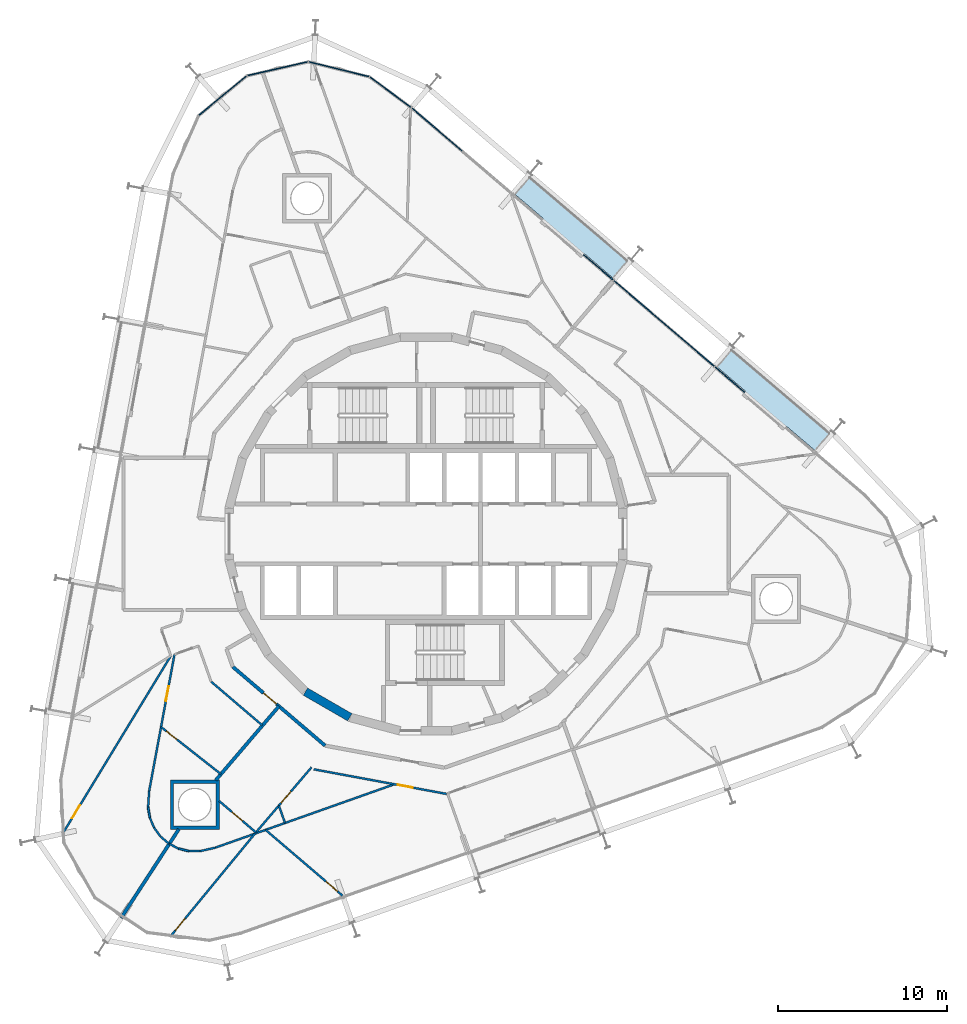
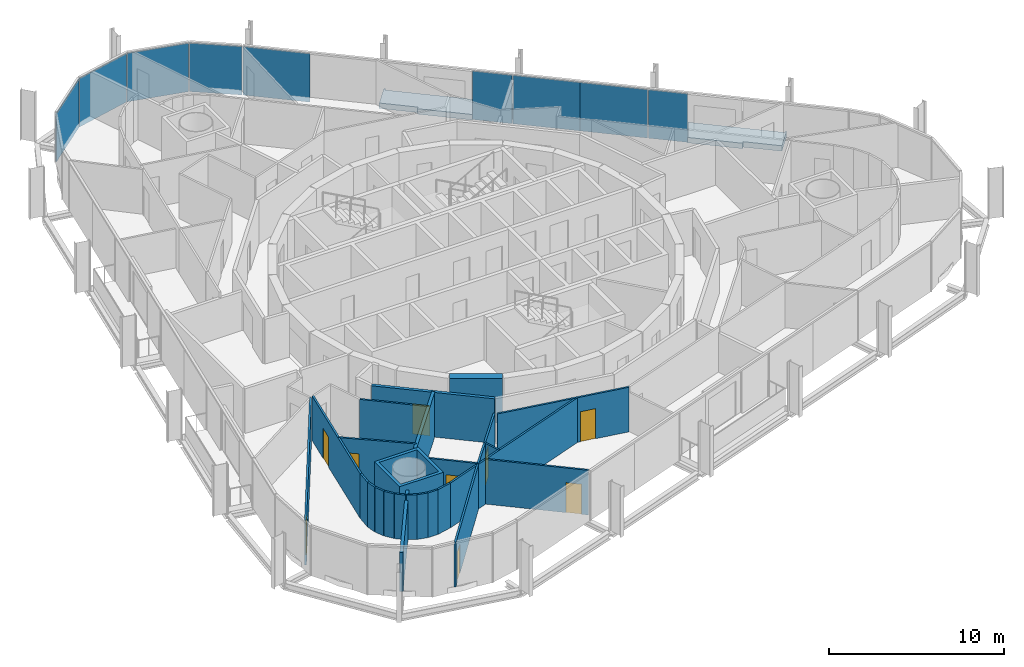
# One storey, part 10 of 17: 25 walls, 9 doors, 9 plates, 2 slabs, 9 openings, 2 elements without a shape of their own.
"""IFC4 building model written with IfcOpenShell, lengths in metres."""

from ifc_helpers import new_model, si_unit, direction, frame, frame_2d, origin, origin_2d, place, context, subcontext, project, spatial, polyline, rectangle, outline, extrude, material, layer, layer_set, type_object, element, fill, aggregate, save


model = new_model("IFC4")

# Units and contexts
model_context = context("Model", 3, precision=1e-05, world=origin(), true_north=direction((0.0, 1.0)))
body_context = subcontext(model_context, "Body", "Model", "MODEL_VIEW")
ifc_project = project(units=[si_unit("LENGTHUNIT", "METRE"), si_unit("AREAUNIT", "SQUARE_METRE"), si_unit("VOLUMEUNIT", "CUBIC_METRE"), si_unit("PLANEANGLEUNIT", "RADIAN"), si_unit("MASSUNIT", "GRAM", prefix="KILO")], contexts=[model_context])

# Site, building, storey
site_placement = place(None, origin())
site = spatial("IfcSite", under=ifc_project, at=site_placement, CompositionType="ELEMENT")
building_placement = place(site_placement, origin())
building = spatial("IfcBuilding", under=site, at=building_placement, Name="Spindle Arch Residences", CompositionType="ELEMENT")
storey_placement = place(building_placement, frame((0.0, 0.0, 162.199951171875)))
storey = spatial("IfcBuildingStorey", under=building, at=storey_placement, Name="L40", CompositionType="ELEMENT", Elevation=162.199951171875)

# Slabs
ifc_material_1 = material(Name="Concrete C40/50", Category="concrete")
ifc_layer_1 = layer(ifc_material_1, 0.3798828125)
ifc_layer_set_1 = layer_set([ifc_layer_1], Name="Balcony slab 380")
slab_type = type_object("IfcSlabType", Name="Balcony slab 380", PredefinedType="FLOOR", material=ifc_layer_set_1)
slab_1_placement = place(storey_placement, frame((0.0, 0.0, -0.3798828125)))
element("IfcSlab", 1, at=slab_1_placement, inside=storey, type_object=slab_type, Name="Balcony L40 bay 6", PredefinedType="FLOOR", context=body_context, shape_type="SweptSolid", body=[
    extrude(outline(polyline([(24.00830078125, 6.037353515625), (23.951171875, 6.0859375), (23.853759765625, 5.971923828125), (18.105224609375, 10.8818359375), (18.20263671875, 10.995849609375), (18.1455078125, 11.044677734375), (17.177734375, 9.91162109375), (18.892578125, 8.447021484375), (18.78857421875, 8.325439453125), (21.221923828125, 6.2470703125), (21.325927734375, 6.368896484375), (23.04052734375, 4.904296875), (24.00830078125, 6.037353515625)])), origin(), (0.0, 0.0, 1.0), 0.3798828125),
])
slab_2_placement = place(storey_placement, frame((0.0, 0.0, -0.3798828125)))
element("IfcSlab", 2, at=slab_2_placement, inside=storey, type_object=slab_type, Name="Balcony L40 bay 8", PredefinedType="FLOOR", context=body_context, shape_type="SweptSolid", body=[
    extrude(outline(polyline([(12.0546875, 16.246826171875), (11.99755859375, 16.29541015625), (11.900146484375, 16.181396484375), (6.1513671875, 21.09130859375), (6.248779296875, 21.205322265625), (6.19189453125, 21.25390625), (5.22412109375, 20.12109375), (6.93896484375, 18.656494140625), (6.8349609375, 18.534912109375), (9.268310546875, 16.45654296875), (9.3720703125, 16.578369140625), (11.0869140625, 15.11376953125), (12.0546875, 16.246826171875)])), origin(), (0.0, 0.0, 1.0), 0.3798828125),
])

# Curtain wall, plates
ifc_material_2 = material(Name="Aluminium bronze unitised frame with tinted glass", Category="aluminium")
ifc_layer_2 = layer(ifc_material_2, 0.159912109375)
ifc_layer_set_2 = layer_set([ifc_layer_2], Name="CW-C typical residential unitised wall")
curtain_wall_type_1 = type_object("IfcCurtainWallType", Name="CW-C typical residential unitised wall", PredefinedType="NOTDEFINED", material=ifc_layer_set_2)
curtain_wall_1_placement = place(storey_placement, origin())
curtain_wall_1 = element("IfcCurtainWall", 3, at=curtain_wall_1_placement, inside=storey, type_object=curtain_wall_type_1, Name="CW-C L40 run 2", PredefinedType="NOTDEFINED")
ifc_material_3 = material(Name="Tinted double glazing over aluminium faced non-combustible spandrel zone (K0)", Category="aluminium")
ifc_layer_3 = layer(ifc_material_3, 0.06005859375)
ifc_layer_set_3 = layer_set([ifc_layer_3], Name="Unitised glass panel with E 60 spandrel zone")
plate_type = type_object("IfcPlateType", Name="Unitised glass panel with E 60 spandrel zone", PredefinedType="CURTAIN_PANEL", material=ifc_layer_set_3)
plate_1_placement = place(storey_placement, frame((17.966064453125, 9.133056640625, -0.3798828125), z_axis=(0.0, 0.0, 1.0), x_axis=(-0.7604059656, 0.64944804833, 0.0)))
plate_1 = element("IfcPlate", 4, at=plate_1_placement, type_object=plate_type, Name="CW-C unit 05R", PredefinedType="CURTAIN_PANEL", context=body_context, shape_type="SweptSolid", body=[
    extrude(rectangle(XDim=2.300048828125, YDim=0.06005859375, at=origin_2d()), origin(), (0.0, 0.0, 1.0), 3.3798828125),
])
plate_2_placement = place(storey_placement, frame((15.563232421875, 11.185302734375, -0.3798828125), z_axis=(0.0, 0.0, 1.0), x_axis=(-0.7604059656, 0.64944804833, 0.0)))
plate_2 = element("IfcPlate", 5, at=plate_2_placement, type_object=plate_type, Name="CW-C unit 06A", PredefinedType="CURTAIN_PANEL", context=body_context, shape_type="SweptSolid", body=[
    extrude(rectangle(XDim=3.900146484375, YDim=0.06005859375, at=origin_2d()), origin(), (0.0, 0.0, 1.0), 3.3798828125),
])
plate_3_placement = place(storey_placement, frame((12.59765625, 13.71826171875, -0.3798828125), z_axis=(0.0, 0.0, 1.0), x_axis=(-0.7604059656, 0.64944804833, 0.0)))
plate_3 = element("IfcPlate", 6, at=plate_3_placement, type_object=plate_type, Name="CW-C unit 06B", PredefinedType="CURTAIN_PANEL", context=body_context, shape_type="SweptSolid", body=[
    extrude(rectangle(XDim=3.900146484375, YDim=0.06005859375, at=origin_2d()), origin(), (0.0, 0.0, 1.0), 3.3798828125),
])
plate_4_placement = place(storey_placement, frame((10.19482421875, 15.7705078125, -0.3798828125), z_axis=(0.0, 0.0, 1.0), x_axis=(-0.7604059656, 0.64944804833, 0.0)))
plate_4 = element("IfcPlate", 7, at=plate_4_placement, type_object=plate_type, Name="CW-C unit 07L", PredefinedType="CURTAIN_PANEL", context=body_context, shape_type="SweptSolid", body=[
    extrude(rectangle(XDim=2.300048828125, YDim=0.06005859375, at=origin_2d()), origin(), (0.0, 0.0, 1.0), 3.3798828125),
])
plate_5_placement = place(storey_placement, frame((0.643798828125, 23.927734375, -0.3798828125), z_axis=(0.0, 0.0, 1.0), x_axis=(-0.7604059656, 0.64944804833, 0.0)))
plate_5 = element("IfcPlate", 8, at=plate_5_placement, type_object=plate_type, Name="CW-C unit 08B", PredefinedType="CURTAIN_PANEL", context=body_context, shape_type="SweptSolid", body=[
    extrude(rectangle(XDim=3.900146484375, YDim=0.06005859375, at=origin_2d()), origin(), (0.0, 0.0, 1.0), 3.3798828125),
])
aggregate(curtain_wall_1, [plate_1, plate_2, plate_3, plate_4, plate_5])

ifc_material_4 = material(Name="Aluminium bronze unitised frame with tinted glass", Category="aluminium")
ifc_layer_4 = layer(ifc_material_4, 0.159912109375)
ifc_layer_set_4 = layer_set([ifc_layer_4], Name="CW-D corner wall on the fillet arcs")
curtain_wall_type_2 = type_object("IfcCurtainWallType", Name="CW-D corner wall on the fillet arcs", PredefinedType="NOTDEFINED", material=ifc_layer_set_4)
curtain_wall_2_placement = place(storey_placement, origin())
curtain_wall_2 = element("IfcCurtainWall", 9, at=curtain_wall_2_placement, inside=storey, type_object=curtain_wall_type_2, Name="CW-D L40 run 3", PredefinedType="NOTDEFINED")
plate_6_placement = place(storey_placement, frame((-2.102294921875, 26.1298828125, -0.3798828125), z_axis=(0.0, 0.0, 1.0), x_axis=(-0.804365716131, 0.594134492109, 0.0)))
plate_6 = element("IfcPlate", 10, at=plate_6_placement, type_object=plate_type, Name="CW-D unit 00", PredefinedType="CURTAIN_PANEL", context=body_context, shape_type="SweptSolid", body=[
    extrude(rectangle(XDim=3.0244140625, YDim=0.06005859375, at=origin_2d()), origin(), (0.0, 0.0, 1.0), 3.3798828125),
])
plate_7_placement = place(storey_placement, frame((-5.152099609375, 27.49169921875, -0.3798828125), z_axis=(0.0, 0.0, 1.0), x_axis=(-0.970995342056, 0.239098401721, 0.0)))
plate_7 = element("IfcPlate", 11, at=plate_7_placement, type_object=plate_type, Name="CW-D unit 01", PredefinedType="CURTAIN_PANEL", context=body_context, shape_type="SweptSolid", body=[
    extrude(rectangle(XDim=3.666748046875, YDim=0.06005859375, at=origin_2d()), origin(), (0.0, 0.0, 1.0), 3.3798828125),
])
plate_8_placement = place(storey_placement, frame((-8.7783203125, 27.5234375, -0.3798828125), z_axis=(0.0, 0.0, 1.0), x_axis=(-0.975020297449, -0.222115779633, 0.0)))
plate_8 = element("IfcPlate", 12, at=plate_8_placement, type_object=plate_type, Name="CW-D unit 02", PredefinedType="CURTAIN_PANEL", context=body_context, shape_type="SweptSolid", body=[
    extrude(rectangle(XDim=3.666748046875, YDim=0.06005859375, at=origin_2d()), origin(), (0.0, 0.0, 1.0), 3.3798828125),
])
plate_9_placement = place(storey_placement, frame((-12.032958984375, 25.92431640625, -0.3798828125), z_axis=(0.0, 0.0, 1.0), x_axis=(-0.771624583032, -0.636078220709, 0.0)))
plate_9 = element("IfcPlate", 13, at=plate_9_placement, type_object=plate_type, Name="CW-D unit 03", PredefinedType="CURTAIN_PANEL", context=body_context, shape_type="SweptSolid", body=[
    extrude(rectangle(XDim=3.666748046875, YDim=0.06005859375, at=origin_2d()), origin(), (0.0, 0.0, 1.0), 3.3798828125),
])
aggregate(curtain_wall_2, [plate_6, plate_7, plate_8, plate_9])

# Wall
ifc_material_5 = material(Name="Concrete C50/60", Category="concrete")
ifc_layer_5 = layer(ifc_material_5, 0.5)
ifc_layer_set_5 = layer_set([ifc_layer_5], Name="Core outline wall 500")
wall_type_1 = type_object("IfcWallType", Name="Core outline wall 500", PredefinedType="SHEAR", material=ifc_layer_set_5)
wall_1_placement = place(storey_placement, frame((-7.13671875, -9.32861328125, 0.0), z_axis=(0.0, 0.0, 1.0), x_axis=(0.865975092491, -0.500087131594, 0.0)))
element("IfcWall", 14, at=wall_1_placement, inside=storey, type_object=wall_type_1, Name="Core outline wall 22", PredefinedType="SHEAR", context=body_context, shape_type="SweptSolid", body=[
    extrude(rectangle(XDim=3.03271484375, YDim=0.5, at=frame_2d((1.516357421875, 0.0))), origin(), (0.0, 0.0, 1.0), 3.1201171875),
])

# Wall, opening, door
ifc_material_6 = material(Name="Calcium silicate block, plastered")
ifc_layer_6 = layer(ifc_material_6, 0.199951171875)
ifc_layer_set_6 = layer_set([ifc_layer_6], Name="Corridor wall 200")
wall_type_2 = type_object("IfcWallType", Name="Corridor wall 200", PredefinedType="STANDARD", material=ifc_layer_set_6)
wall_2_placement = place(storey_placement, frame((-11.432861328125, -7.857666015625, 0.0), z_axis=(0.0, 0.0, 1.0), x_axis=(0.760412154545, -0.649440801937, 0.0)))
wall_2 = element("IfcWall", 15, at=wall_2_placement, inside=storey, type_object=wall_type_2, Name="Corridor wall R4B1-W016", PredefinedType="STANDARD", context=body_context, shape_type="SweptSolid", body=[
    extrude(rectangle(XDim=7.180908203125, YDim=0.199951171875, at=frame_2d((3.59033203125, 0.0))), origin(), (0.0, 0.0, 1.0), 3.1201171875),
])
opening_1_placement = place(wall_2_placement, frame((2.390380859375, 0.0, 0.0)))
opening_1 = element("IfcOpeningElement", 16, at=opening_1_placement, cuts=wall_2, Name="Opening R4B1-FD04", PredefinedType="OPENING", context=body_context, shape_type="SweptSolid", body=[
    extrude(rectangle(XDim=1.0, YDim=2.10009765625, at=frame_2d((0.5, 1.050048828125))), frame((0.0, 0.10986328125, 0.0), z_axis=(0.0, -1.0, 0.0), x_axis=(1.0, 0.0, 0.0)), (0.0, 0.0, 1.0), 0.219970703125),
])
ifc_material_7 = material(Name="Timber, fire-resisting door set", Category="wood")
door_type_1 = type_object("IfcDoorType", Name="Flat entrance door 1000x2100", OperationType="NOTDEFINED", PredefinedType="DOOR", material=ifc_material_7)
door_1_placement = place(opening_1_placement, origin())
door_1 = element("IfcDoor", 17, at=door_1_placement, inside=storey, type_object=door_type_1, Name="Flat entrance door R4B1-FD04", OperationType="SINGLE_SWING_RIGHT", OverallHeight=2.10009765625, OverallWidth=1.0, PredefinedType="DOOR", context=body_context, shape_type="SweptSolid", body=[
    extrude(rectangle(XDim=1.0, YDim=2.10009765625, at=frame_2d((0.5, 1.050048828125))), frame((0.0, 0.02490234375, 0.0), z_axis=(0.0, -1.0, 0.0), x_axis=(1.0, 0.0, 0.0)), (0.0, 0.0, 1.0), 0.050048828125),
])
fill(opening_1, door_1)

# Wall
ifc_material_8 = material(Name="Plasterboard on steel studs", Category="steel")
ifc_layer_7 = layer(ifc_material_8, 0.1201171875)
ifc_layer_set_7 = layer_set([ifc_layer_7], Name="Flat partition 120")
wall_type_3 = type_object("IfcWallType", Name="Flat partition 120", PredefinedType="PARTITIONING", material=ifc_layer_set_7)
wall_3_placement = place(storey_placement, frame((-12.712646484375, -8.7373046875, 0.0), z_axis=(0.0, 0.0, 1.0), x_axis=(0.760420863476, -0.649430604754, 0.0)))
element("IfcWall", 18, at=wall_3_placement, inside=storey, type_object=wall_type_3, Name="Flat partition R4B1-W089", PredefinedType="PARTITIONING", context=body_context, shape_type="SweptSolid", body=[
    extrude(rectangle(XDim=3.992431640625, YDim=0.1201171875, at=frame_2d((1.99609375, 0.0))), origin(), (0.0, 0.0, 1.0), 3.1201171875),
])

# Wall, opening, door
wall_4_placement = place(storey_placement, frame((-21.461181640625, -17.6708984375, 0.0), z_axis=(0.0, 0.0, 1.0), x_axis=(0.519791999186, 0.854292852353, 0.0)))
wall_4 = element("IfcWall", 19, at=wall_4_placement, inside=storey, type_object=wall_type_3, Name="Flat partition R4B1-W091", PredefinedType="PARTITIONING", context=body_context, shape_type="SweptSolid", body=[
    extrude(rectangle(XDim=12.2470703125, YDim=0.1201171875, at=frame_2d((6.12353515625, 0.0))), origin(), (0.0, 0.0, 1.0), 3.1201171875),
])
opening_2_placement = place(wall_4_placement, frame((1.0, 0.0, 0.0)))
opening_2 = element("IfcOpeningElement", 20, at=opening_2_placement, cuts=wall_4, Name="Opening R4B1-ID20", PredefinedType="OPENING", context=body_context, shape_type="SweptSolid", body=[
    extrude(rectangle(XDim=0.89990234375, YDim=2.10009765625, at=frame_2d((0.449951171875, 1.050048828125))), frame((0.0, 0.070068359375, 0.0), z_axis=(0.0, -1.0, 0.0), x_axis=(1.0, 0.0, 0.0)), (0.0, 0.0, 1.0), 0.14013671875),
])
ifc_material_9 = material(Name="Timber door set", Category="wood")
door_type_2 = type_object("IfcDoorType", Name="Room door 900x2100", OperationType="NOTDEFINED", PredefinedType="DOOR", material=ifc_material_9)
door_2_placement = place(opening_2_placement, origin())
door_2 = element("IfcDoor", 21, at=door_2_placement, inside=storey, type_object=door_type_2, Name="Room door R4B1-ID20", OperationType="SINGLE_SWING_LEFT", OverallHeight=2.10009765625, OverallWidth=0.89990234375, PredefinedType="DOOR", context=body_context, shape_type="SweptSolid", body=[
    extrude(rectangle(XDim=0.89990234375, YDim=2.10009765625, at=frame_2d((0.449951171875, 1.050048828125))), frame((0.0, 0.02490234375, 0.0), z_axis=(0.0, -1.0, 0.0), x_axis=(1.0, 0.0, 0.0)), (0.0, 0.0, 1.0), 0.050048828125),
])
fill(opening_2, door_2)

wall_5_placement = place(storey_placement, frame((-14.882080078125, -7.1328125, 0.0), z_axis=(0.0, 0.0, 1.0), x_axis=(-0.182231858218, -0.983255587246, 0.0)))
wall_5 = element("IfcWall", 22, at=wall_5_placement, inside=storey, type_object=wall_type_3, Name="Flat partition R4B1-W092", PredefinedType="PARTITIONING", context=body_context, shape_type="SweptSolid", body=[
    extrude(rectangle(XDim=8.215087890625, YDim=0.1201171875, at=frame_2d((4.107421875, 0.0))), origin(), (0.0, 0.0, 1.0), 3.1201171875),
])
opening_3_placement = place(wall_5_placement, frame((1.89990234375, 0.0, 0.0)))
opening_3 = element("IfcOpeningElement", 23, at=opening_3_placement, cuts=wall_5, Name="Opening R4B1-ID19", PredefinedType="OPENING", context=body_context, shape_type="SweptSolid", body=[
    extrude(rectangle(XDim=0.89990234375, YDim=2.10009765625, at=frame_2d((0.449951171875, 1.050048828125))), frame((0.0, 0.070068359375, 0.0), z_axis=(0.0, -1.0, 0.0), x_axis=(1.0, 0.0, 0.0)), (0.0, 0.0, 1.0), 0.14013671875),
])
door_3_placement = place(opening_3_placement, origin())
door_3 = element("IfcDoor", 24, at=door_3_placement, inside=storey, type_object=door_type_2, Name="Room door R4B1-ID19", OperationType="SINGLE_SWING_RIGHT", OverallHeight=2.10009765625, OverallWidth=0.89990234375, PredefinedType="DOOR", context=body_context, shape_type="SweptSolid", body=[
    extrude(rectangle(XDim=0.89990234375, YDim=2.10009765625, at=frame_2d((0.449951171875, 1.050048828125))), frame((0.0, 0.02490234375, 0.0), z_axis=(0.0, -1.0, 0.0), x_axis=(1.0, 0.0, 0.0)), (0.0, 0.0, 1.0), 0.050048828125),
])
fill(opening_3, door_3)

wall_6_placement = place(storey_placement, frame((-15.676513671875, -11.419921875, 0.0), z_axis=(0.0, 0.0, 1.0), x_axis=(0.785821888461, -0.618452875824, 0.0)))
wall_6 = element("IfcWall", 25, at=wall_6_placement, inside=storey, type_object=wall_type_3, Name="Flat partition R4B1-W093", PredefinedType="PARTITIONING", context=body_context, shape_type="SweptSolid", body=[
    extrude(rectangle(XDim=4.50732421875, YDim=0.1201171875, at=frame_2d((2.253662109375, 0.0))), origin(), (0.0, 0.0, 1.0), 3.1201171875),
])
opening_4_placement = place(wall_6_placement, frame((0.39990234375, 0.0, 0.0)))
opening_4 = element("IfcOpeningElement", 26, at=opening_4_placement, cuts=wall_6, Name="Opening R4B1-BD04", PredefinedType="OPENING", context=body_context, shape_type="SweptSolid", body=[
    extrude(rectangle(XDim=0.800048828125, YDim=2.10009765625, at=frame_2d((0.39990234375, 1.050048828125))), frame((0.0, 0.070068359375, 0.0), z_axis=(0.0, -1.0, 0.0), x_axis=(1.0, 0.0, 0.0)), (0.0, 0.0, 1.0), 0.14013671875),
])
ifc_material_10 = material(Name="Timber door set", Category="wood")
door_type_3 = type_object("IfcDoorType", Name="Bathroom door 800x2100", OperationType="NOTDEFINED", PredefinedType="DOOR", material=ifc_material_10)
door_4_placement = place(opening_4_placement, origin())
door_4 = element("IfcDoor", 27, at=door_4_placement, inside=storey, type_object=door_type_3, Name="Bathroom door R4B1-BD04", OperationType="SINGLE_SWING_RIGHT", OverallHeight=2.10009765625, OverallWidth=0.800048828125, PredefinedType="DOOR", context=body_context, shape_type="SweptSolid", body=[
    extrude(rectangle(XDim=0.800048828125, YDim=2.10009765625, at=frame_2d((0.39990234375, 1.050048828125))), frame((0.0, 0.02490234375, 0.0), z_axis=(0.0, -1.0, 0.0), x_axis=(1.0, 0.0, 0.0)), (0.0, 0.0, 1.0), 0.050048828125),
])
fill(opening_4, door_4)

# Walls
for number, where, z_axis, x_axis, name in (
    (28, (-15.220458984375, -18.315185546875, 0.0), (0.0, 0.0, 1.0), (-0.760275843649, 0.649600370662, 0.0), "Flat partition R4B1-W094"),
    (29, (-15.70849609375, -17.898193359375, 0.0), (0.0, 0.0, 1.0), (-0.590340795198, 0.807154102712, 0.0), "Flat partition R4B1-W095"),
):
    element("IfcWall", number, at=place(storey_placement, frame(where, z_axis=z_axis, x_axis=x_axis)), inside=storey, type_object=wall_type_3, Name=name, PredefinedType="PARTITIONING", context=body_context, shape_type="SweptSolid", body=[
        extrude(rectangle(XDim=0.641845703125, YDim=0.1201171875, at=frame_2d((0.32080078125, 0.0))), origin(), (0.0, 0.0, 1.0), 3.1201171875),
    ])
wall_7_placement = place(storey_placement, frame((-16.08740234375, -17.380126953125, 0.0), z_axis=(0.0, 0.0, 1.0), x_axis=(-0.387852998664, 0.921721243884, 0.0)))
element("IfcWall", 30, at=wall_7_placement, inside=storey, type_object=wall_type_3, Name="Flat partition R4B1-W096", PredefinedType="PARTITIONING", context=body_context, shape_type="SweptSolid", body=[
    extrude(rectangle(XDim=0.64208984375, YDim=0.1201171875, at=frame_2d((0.321044921875, 0.0))), origin(), (0.0, 0.0, 1.0), 3.1201171875),
])
wall_8_placement = place(storey_placement, frame((-16.33642578125, -16.788330078125, 0.0), z_axis=(0.0, 0.0, 1.0), x_axis=(-0.165077433319, 0.986280609669, 0.0)))
element("IfcWall", 31, at=wall_8_placement, inside=storey, type_object=wall_type_3, Name="Flat partition R4B1-W097", PredefinedType="PARTITIONING", context=body_context, shape_type="SweptSolid", body=[
    extrude(rectangle(XDim=0.641845703125, YDim=0.1201171875, at=frame_2d((0.32080078125, 0.0))), origin(), (0.0, 0.0, 1.0), 3.1201171875),
])
wall_9_placement = place(storey_placement, frame((-16.4423828125, -16.1552734375, 0.0), z_axis=(0.0, 0.0, 1.0), x_axis=(0.066775688713, 0.997768012815, 0.0)))
element("IfcWall", 32, at=wall_9_placement, inside=storey, type_object=wall_type_3, Name="Flat partition R4B1-W098", PredefinedType="PARTITIONING", context=body_context, shape_type="SweptSolid", body=[
    extrude(rectangle(XDim=0.947021484375, YDim=0.1201171875, at=frame_2d((0.4736328125, 0.0))), origin(), (0.0, 0.0, 1.0), 3.1201171875),
])

# Wall, opening, door
wall_10_placement = place(storey_placement, frame((-12.231201171875, -15.803955078125, 0.0), z_axis=(0.0, 0.0, 1.0), x_axis=(0.760403625387, -0.649450788357, 0.0)))
wall_10 = element("IfcWall", 33, at=wall_10_placement, inside=storey, type_object=wall_type_3, Name="Flat partition R4B1-W099", PredefinedType="PARTITIONING", context=body_context, shape_type="SweptSolid", body=[
    extrude(rectangle(XDim=2.851806640625, YDim=0.1201171875, at=frame_2d((1.42578125, 0.0))), origin(), (0.0, 0.0, 1.0), 3.1201171875),
])
opening_5_placement = place(wall_10_placement, frame((1.0, 0.0, 0.0)))
opening_5 = element("IfcOpeningElement", 34, at=opening_5_placement, cuts=wall_10, Name="Opening R4B1-BD05", PredefinedType="OPENING", context=body_context, shape_type="SweptSolid", body=[
    extrude(rectangle(XDim=0.800048828125, YDim=2.10009765625, at=frame_2d((0.39990234375, 1.050048828125))), frame((0.0, 0.070068359375, 0.0), z_axis=(0.0, -1.0, 0.0), x_axis=(1.0, 0.0, 0.0)), (0.0, 0.0, 1.0), 0.14013671875),
])
door_5_placement = place(opening_5_placement, origin())
door_5 = element("IfcDoor", 35, at=door_5_placement, inside=storey, type_object=door_type_3, Name="Bathroom door R4B1-BD05", OperationType="SINGLE_SWING_LEFT", OverallHeight=2.10009765625, OverallWidth=0.800048828125, PredefinedType="DOOR", context=body_context, shape_type="SweptSolid", body=[
    extrude(rectangle(XDim=0.800048828125, YDim=2.10009765625, at=frame_2d((0.39990234375, 1.050048828125))), frame((0.0, 0.02490234375, 0.0), z_axis=(0.0, -1.0, 0.0), x_axis=(1.0, 0.0, 0.0)), (0.0, 0.0, 1.0), 0.050048828125),
])
fill(opening_5, door_5)

wall_11_placement = place(storey_placement, frame((-10.062744140625, -17.656005859375, 0.0), z_axis=(0.0, 0.0, 1.0), x_axis=(0.649451567172, 0.760402960211, 0.0)))
wall_11 = element("IfcWall", 36, at=wall_11_placement, inside=storey, type_object=wall_type_3, Name="Flat partition R4B1-W100", PredefinedType="PARTITIONING", context=body_context, shape_type="SweptSolid", body=[
    extrude(rectangle(XDim=5.06103515625, YDim=0.1201171875, at=frame_2d((2.530517578125, 0.0))), origin(), (0.0, 0.0, 1.0), 3.1201171875),
])
opening_6_placement = place(wall_11_placement, frame((2.287841796875, 0.0, 0.0)))
opening_6 = element("IfcOpeningElement", 37, at=opening_6_placement, cuts=wall_11, Name="Opening R4B1-ID21", PredefinedType="OPENING", context=body_context, shape_type="SweptSolid", body=[
    extrude(rectangle(XDim=0.89990234375, YDim=2.10009765625, at=frame_2d((0.449951171875, 1.050048828125))), frame((0.0, 0.070068359375, 0.0), z_axis=(0.0, -1.0, 0.0), x_axis=(1.0, 0.0, 0.0)), (0.0, 0.0, 1.0), 0.14013671875),
])
door_6_placement = place(opening_6_placement, origin())
door_6 = element("IfcDoor", 38, at=door_6_placement, inside=storey, type_object=door_type_2, Name="Room door R4B1-ID21", OperationType="SINGLE_SWING_LEFT", OverallHeight=2.10009765625, OverallWidth=0.89990234375, PredefinedType="DOOR", context=body_context, shape_type="SweptSolid", body=[
    extrude(rectangle(XDim=0.89990234375, YDim=2.10009765625, at=frame_2d((0.449951171875, 1.050048828125))), frame((0.0, 0.02490234375, 0.0), z_axis=(0.0, -1.0, 0.0), x_axis=(1.0, 0.0, 0.0)), (0.0, 0.0, 1.0), 0.050048828125),
])
fill(opening_6, door_6)

wall_12_placement = place(storey_placement, frame((-6.640869140625, -13.9228515625, 0.0), z_axis=(0.0, 0.0, 1.0), x_axis=(0.983250157272, -0.182261153912, 0.0)))
wall_12 = element("IfcWall", 39, at=wall_12_placement, inside=storey, type_object=wall_type_3, Name="Flat partition R4B1-W101", PredefinedType="PARTITIONING", context=body_context, shape_type="SweptSolid", body=[
    extrude(rectangle(XDim=7.98486328125, YDim=0.1201171875, at=frame_2d((3.992431640625, 0.0))), origin(), (0.0, 0.0, 1.0), 3.1201171875),
])
opening_7_placement = place(wall_12_placement, frame((5.05078125, 0.0, 0.0)))
opening_7 = element("IfcOpeningElement", 40, at=opening_7_placement, cuts=wall_12, Name="Opening R4B1-ID22", PredefinedType="OPENING", context=body_context, shape_type="SweptSolid", body=[
    extrude(rectangle(XDim=0.89990234375, YDim=2.10009765625, at=frame_2d((0.449951171875, 1.050048828125))), frame((0.0, 0.070068359375, 0.0), z_axis=(0.0, -1.0, 0.0), x_axis=(1.0, 0.0, 0.0)), (0.0, 0.0, 1.0), 0.14013671875),
])
door_7_placement = place(opening_7_placement, origin())
door_7 = element("IfcDoor", 41, at=door_7_placement, inside=storey, type_object=door_type_2, Name="Room door R4B1-ID22", OperationType="SINGLE_SWING_LEFT", OverallHeight=2.10009765625, OverallWidth=0.89990234375, PredefinedType="DOOR", context=body_context, shape_type="SweptSolid", body=[
    extrude(rectangle(XDim=0.89990234375, YDim=2.10009765625, at=frame_2d((0.449951171875, 1.050048828125))), frame((0.0, 0.02490234375, 0.0), z_axis=(0.0, -1.0, 0.0), x_axis=(1.0, 0.0, 0.0)), (0.0, 0.0, 1.0), 0.050048828125),
])
fill(opening_7, door_7)

# Walls
wall_13_placement = place(storey_placement, frame((-1.871337890625, -14.806884765625, 0.0), z_axis=(0.0, 0.0, 1.0), x_axis=(-0.942640759962, -0.333808923874, 0.0)))
element("IfcWall", 42, at=wall_13_placement, inside=storey, type_object=wall_type_3, Name="Flat partition R4B1-W103", PredefinedType="PARTITIONING", context=body_context, shape_type="SweptSolid", body=[
    extrude(rectangle(XDim=11.23388671875, YDim=0.1201171875, at=frame_2d((5.616943359375, 0.0))), origin(), (0.0, 0.0, 1.0), 3.1201171875),
])
wall_14_placement = place(storey_placement, frame((-12.4609375, -18.556884765625, 0.0), z_axis=(0.0, 0.0, 1.0), x_axis=(-0.975039040601, -0.222033486897, 0.0)))
element("IfcWall", 43, at=wall_14_placement, inside=storey, type_object=wall_type_3, Name="Flat partition R4B1-W104", PredefinedType="PARTITIONING", context=body_context, shape_type="SweptSolid", body=[
    extrude(rectangle(XDim=0.94677734375, YDim=0.1201171875, at=frame_2d((0.473388671875, 0.0))), origin(), (0.0, 0.0, 1.0), 3.1201171875),
])
wall_15_placement = place(storey_placement, frame((-13.384033203125, -18.76708984375, 0.0), z_axis=(0.0, 0.0, 1.0), x_axis=(-0.999965015064, 0.008364726362, 0.0)))
element("IfcWall", 44, at=wall_15_placement, inside=storey, type_object=wall_type_3, Name="Flat partition R4B1-W105", PredefinedType="PARTITIONING", context=body_context, shape_type="SweptSolid", body=[
    extrude(rectangle(XDim=0.64208984375, YDim=0.1201171875, at=frame_2d((0.321044921875, 0.0))), origin(), (0.0, 0.0, 1.0), 3.1201171875),
])
wall_16_placement = place(storey_placement, frame((-14.026123046875, -18.76171875, 0.0), z_axis=(0.0, 0.0, 1.0), x_axis=(-0.970964611728, 0.239223165208, 0.0)))
element("IfcWall", 45, at=wall_16_placement, inside=storey, type_object=wall_type_3, Name="Flat partition R4B1-W106", PredefinedType="PARTITIONING", context=body_context, shape_type="SweptSolid", body=[
    extrude(rectangle(XDim=0.641845703125, YDim=0.1201171875, at=frame_2d((0.32080078125, 0.0))), origin(), (0.0, 0.0, 1.0), 3.1201171875),
])
wall_17_placement = place(storey_placement, frame((-14.6494140625, -18.608154296875, 0.0), z_axis=(0.0, 0.0, 1.0), x_axis=(-0.889695551631, 0.456554296232, 0.0)))
element("IfcWall", 46, at=wall_17_placement, inside=storey, type_object=wall_type_3, Name="Flat partition R4B1-W107", PredefinedType="PARTITIONING", context=body_context, shape_type="SweptSolid", body=[
    extrude(rectangle(XDim=0.604736328125, YDim=0.1201171875, at=frame_2d((0.30224609375, 0.0))), origin(), (0.0, 0.0, 1.0), 3.1201171875),
])

# Wall, opening, door
wall_18_placement = place(storey_placement, frame((-15.146484375, -23.841064453125, 0.0), z_axis=(0.0, 0.0, 1.0), x_axis=(0.634970373647, 0.772536487547, 0.0)))
wall_18 = element("IfcWall", 47, at=wall_18_placement, inside=storey, type_object=wall_type_3, Name="Flat partition R4B1-W108", PredefinedType="PARTITIONING", context=body_context, shape_type="SweptSolid", body=[
    extrude(rectangle(XDim=7.91162109375, YDim=0.1201171875, at=frame_2d((3.955810546875, 0.0))), origin(), (0.0, 0.0, 1.0), 3.1201171875),
])
opening_8_placement = place(wall_18_placement, frame((0.5, 0.0, 0.0)))
opening_8 = element("IfcOpeningElement", 48, at=opening_8_placement, cuts=wall_18, Name="Opening R4B1-ID25", PredefinedType="OPENING", context=body_context, shape_type="SweptSolid", body=[
    extrude(rectangle(XDim=0.89990234375, YDim=2.10009765625, at=frame_2d((0.449951171875, 1.050048828125))), frame((0.0, 0.070068359375, 0.0), z_axis=(0.0, -1.0, 0.0), x_axis=(1.0, 0.0, 0.0)), (0.0, 0.0, 1.0), 0.14013671875),
])
door_8_placement = place(opening_8_placement, origin())
door_8 = element("IfcDoor", 49, at=door_8_placement, inside=storey, type_object=door_type_2, Name="Room door R4B1-ID25", OperationType="SINGLE_SWING_LEFT", OverallHeight=2.10009765625, OverallWidth=0.89990234375, PredefinedType="DOOR", context=body_context, shape_type="SweptSolid", body=[
    extrude(rectangle(XDim=0.89990234375, YDim=2.10009765625, at=frame_2d((0.449951171875, 1.050048828125))), frame((0.0, 0.02490234375, 0.0), z_axis=(0.0, -1.0, 0.0), x_axis=(1.0, 0.0, 0.0)), (0.0, 0.0, 1.0), 0.050048828125),
])
fill(opening_8, door_8)

# Wall
wall_19_placement = place(storey_placement, frame((-8.342041015625, -17.098388671875, 0.0), z_axis=(0.0, 0.0, 1.0), x_axis=(-0.333801646268, 0.942643337084, 0.0)))
element("IfcWall", 50, at=wall_19_placement, inside=storey, type_object=wall_type_3, Name="Flat partition R4B1-W109", PredefinedType="PARTITIONING", context=body_context, shape_type="SweptSolid", body=[
    extrude(rectangle(XDim=1.0927734375, YDim=0.1201171875, at=frame_2d((0.54638671875, 0.0))), origin(), (0.0, 0.0, 1.0), 3.1201171875),
])

# Wall, opening, door
wall_20_placement = place(storey_placement, frame((-4.927490234375, -21.405517578125, 0.0), z_axis=(0.0, 0.0, 1.0), x_axis=(-0.760409236665, 0.649444218385, 0.0)))
wall_20 = element("IfcWall", 51, at=wall_20_placement, inside=storey, type_object=wall_type_3, Name="Flat partition R4B1-W110", PredefinedType="PARTITIONING", context=body_context, shape_type="SweptSolid", body=[
    extrude(rectangle(XDim=6.004150390625, YDim=0.1201171875, at=frame_2d((3.001953125, 0.0))), origin(), (0.0, 0.0, 1.0), 3.1201171875),
])
opening_9_placement = place(wall_20_placement, frame((0.39990234375, 0.0, 0.0)))
opening_9 = element("IfcOpeningElement", 52, at=opening_9_placement, cuts=wall_20, Name="Opening R4B1-ID24", PredefinedType="OPENING", context=body_context, shape_type="SweptSolid", body=[
    extrude(rectangle(XDim=0.89990234375, YDim=2.10009765625, at=frame_2d((0.449951171875, 1.050048828125))), frame((0.0, 0.070068359375, 0.0), z_axis=(0.0, -1.0, 0.0), x_axis=(1.0, 0.0, 0.0)), (0.0, 0.0, 1.0), 0.14013671875),
])
door_9_placement = place(opening_9_placement, origin())
door_9 = element("IfcDoor", 53, at=door_9_placement, inside=storey, type_object=door_type_2, Name="Room door R4B1-ID24", OperationType="SINGLE_SWING_LEFT", OverallHeight=2.10009765625, OverallWidth=0.89990234375, PredefinedType="DOOR", context=body_context, shape_type="SweptSolid", body=[
    extrude(rectangle(XDim=0.89990234375, YDim=2.10009765625, at=frame_2d((0.449951171875, 1.050048828125))), frame((0.0, 0.02490234375, 0.0), z_axis=(0.0, -1.0, 0.0), x_axis=(1.0, 0.0, 0.0)), (0.0, 0.0, 1.0), 0.050048828125),
])
fill(opening_9, door_9)

# Walls
ifc_material_11 = material(Name="Calcium silicate block, plastered")
ifc_layer_8 = layer(ifc_material_11, 0.199951171875)
ifc_layer_set_8 = layer_set([ifc_layer_8], Name="Flat party wall 200")
wall_type_4 = type_object("IfcWallType", Name="Flat party wall 200", PredefinedType="STANDARD", material=ifc_layer_set_8)
wall_21_placement = place(storey_placement, frame((-12.44140625, -14.568603515625, 0.0), z_axis=(0.0, 0.0, 1.0), x_axis=(0.649446013128, 0.760407703822, 0.0)))
element("IfcWall", 54, at=wall_21_placement, inside=storey, type_object=wall_type_4, Name="Flat party wall R4B1-W035", PredefinedType="STANDARD", context=body_context, shape_type="SweptSolid", body=[
    extrude(rectangle(XDim=5.758056640625, YDim=0.199951171875, at=frame_2d((2.87890625, 0.0))), origin(), (0.0, 0.0, 1.0), 3.1201171875),
])
ifc_material_12 = material(Name="Calcium silicate block, plastered")
ifc_layer_9 = layer(ifc_material_12, 0.199951171875)
ifc_layer_set_9 = layer_set([ifc_layer_9], Name="Flat party wall 200 under beam 2730")
wall_type_5 = type_object("IfcWallType", Name="Flat party wall 200 under beam 2730", PredefinedType="STANDARD", material=ifc_layer_set_9)
wall_22_placement = place(storey_placement, frame((-18.039794921875, -22.712890625, 0.0), z_axis=(0.0, 0.0, 1.0), x_axis=(0.545628572271, 0.838027124335, 0.0)))
element("IfcWall", 55, at=wall_22_placement, inside=storey, type_object=wall_type_5, Name="Flat party wall R4B1-W036", PredefinedType="STANDARD", context=body_context, shape_type="SweptSolid", body=[
    extrude(rectangle(XDim=6.258056640625, YDim=0.199951171875, at=frame_2d((3.12890625, 0.0))), origin(), (0.0, 0.0, 1.0), 2.72998046875),
])
ifc_material_13 = material(Name="Calcium silicate block, plastered")
ifc_layer_10 = layer(ifc_material_13, 0.199951171875)
ifc_layer_set_10 = layer_set([ifc_layer_10], Name="Mega-column casing wall 200")
wall_type_6 = type_object("IfcWallType", Name="Mega-column casing wall 200", PredefinedType="STANDARD", material=ifc_layer_set_10)
wall_23_placement = place(storey_placement, origin())
element("IfcWall", 56, at=wall_23_placement, inside=storey, type_object=wall_type_6, Name="Mega-column casing wall R4B1-WC02", PredefinedType="STANDARD", context=body_context, shape_type="SweptSolid", body=[
    extrude(outline(polyline([(-12.231201171875, -14.568603515625), (-12.231201171875, -17.468505859375), (-15.131103515625, -17.468505859375), (-15.131103515625, -14.568603515625), (-12.231201171875, -14.568603515625)]), holes=[polyline([(-14.93115234375, -17.2685546875), (-12.43115234375, -17.2685546875), (-12.43115234375, -14.7685546875), (-14.93115234375, -14.7685546875), (-14.93115234375, -17.2685546875)])]), origin(), (0.0, 0.0, 1.0), 3.1201171875),
])

save(model, "model.ifc")
